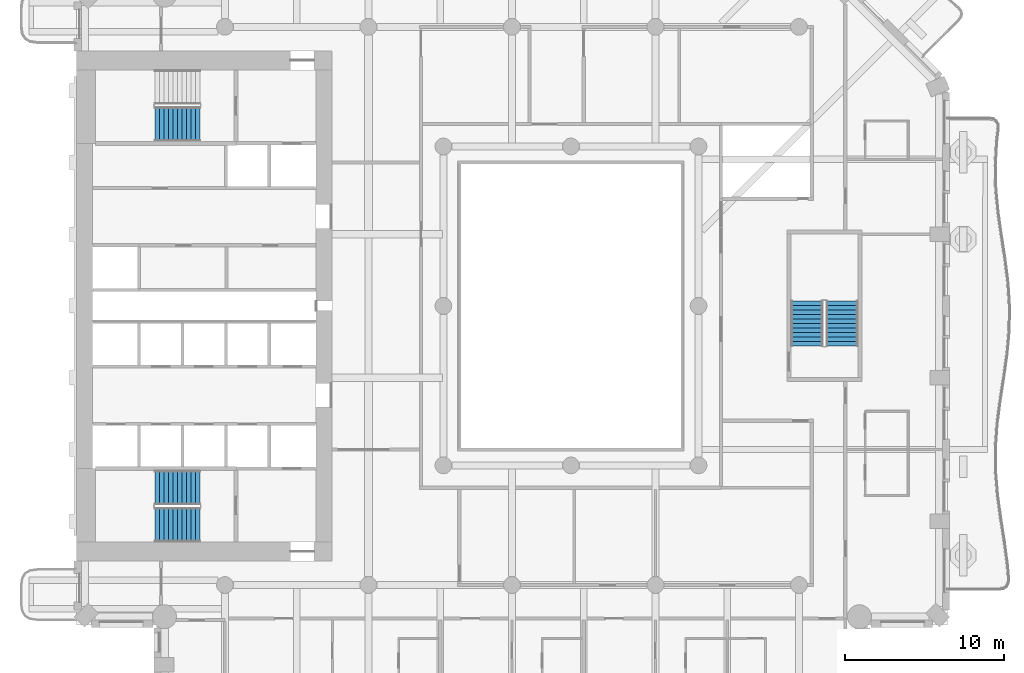
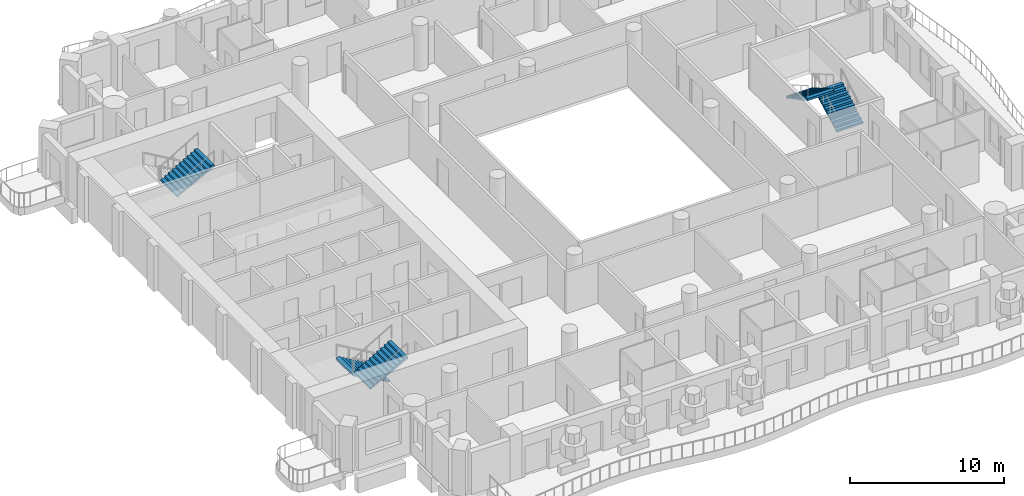
# One storey, part 10 of 19: 5 stair flights, 3 elements without a shape of their own.
"""IFC4 building model written with IfcOpenShell, lengths in metres."""

from ifc_helpers import new_model, si_unit, direction, frame, origin, place, context, subcontext, project, spatial, triangles, material, type_object, element, aggregate, save


model = new_model("IFC4")

# Units and contexts
model_context = context("Model", 3, precision=1e-05, world=origin(), true_north=direction((0.0, 1.0)))
body_context = subcontext(model_context, "Body", "Model", "MODEL_VIEW")
ifc_project = project(units=[si_unit("LENGTHUNIT", "METRE"), si_unit("AREAUNIT", "SQUARE_METRE"), si_unit("VOLUMEUNIT", "CUBIC_METRE"), si_unit("PLANEANGLEUNIT", "RADIAN"), si_unit("MASSUNIT", "GRAM", prefix="KILO")], contexts=[model_context])

# Site, building, storey
site_placement = place(None, origin())
site = spatial("IfcSite", under=ifc_project, at=site_placement, CompositionType="ELEMENT")
building_placement = place(site_placement, origin())
building = spatial("IfcBuilding", under=site, at=building_placement, Name="Cypress Arch Tower", CompositionType="ELEMENT")
storey_placement = place(building_placement, frame((0.0, 0.0, 141.89990234375)))
storey = spatial("IfcBuildingStorey", under=building, at=storey_placement, Name="L31", CompositionType="ELEMENT", Elevation=141.89990234375)

# Stair, stair flights
ifc_material_1 = material(Name="Concrete C40/50", Category="concrete")
stair_type_1 = type_object("IfcStairType", Name="Exit stair ES1636-200", PredefinedType="HALF_TURN_STAIR", material=ifc_material_1)
stair_1_placement = place(storey_placement, origin())
stair_1 = element("IfcStair", 1, at=stair_1_placement, inside=storey, type_object=stair_type_1, Name="L31 Exit stair C", PredefinedType="HALF_TURN_STAIR")
ifc_material_2 = material(Name="Concrete C40/50", Category="concrete")
stair_flight_type_1 = type_object("IfcStairFlightType", Name="Exit stair flight ES1636-200", PredefinedType="STRAIGHT", material=ifc_material_2)
stair_flight_1_placement = place(storey_placement, frame((18.0, -2.5, 0.0), z_axis=(0.0, 0.0, 1.0), x_axis=(0.0, 1.0, 0.0)))
stair_flight_1 = element("IfcStairFlight", 2, at=stair_flight_1_placement, type_object=stair_flight_type_1, Name="C flight 1", NumberOfRisers=11, NumberOfTreads=10, PredefinedType="STRAIGHT", RiserHeight=0.163636364, TreadLength=0.28, context=body_context, shape_type="Tessellation", body=[
    triangles([(0.0, -1.0, 0.0), (0.00048828125, -1.0, 0.054443359375), (0.00048828125, -1.0, 0.109130859375), (0.0, -1.0, 0.16357421875), (0.280029296875, -1.0, 0.16357421875), (0.280029296875, -1.0, 0.327392578125), (0.56005859375, -1.0, 0.327392578125), (0.56005859375, -1.0, 0.490966796875), (0.840087890625, -1.0, 0.490966796875), (0.840087890625, -1.0, 0.654541015625), (1.1201171875, -1.0, 0.654541015625), (1.1201171875, -1.0, 0.818115234375), (1.39990234375, -1.0, 0.818115234375), (1.39990234375, -1.0, 0.98193359375), (1.679931640625, -1.0, 0.98193359375), (1.679931640625, -1.0, 1.1455078125), (1.9599609375, -1.0, 1.1455078125), (1.9599609375, -1.0, 1.30908203125), (2.239990234375, -1.0, 1.30908203125), (2.239990234375, -1.0, 1.47265625), (2.52001953125, -1.0, 1.47265625), (2.52001953125, -1.0, 1.636474609375), (2.800048828125, -1.0, 1.636474609375), (2.799560546875, -1.0, 1.57861328125), (2.799560546875, -1.0, 1.5205078125), (2.800048828125, -1.0, 1.462646484375), (2.800048828125, 1.0, 1.462646484375), (2.799560546875, 1.0, 1.5205078125), (2.799560546875, 1.0, 1.57861328125), (2.800048828125, 1.0, 1.636474609375), (2.52001953125, 1.0, 1.636474609375), (2.52001953125, 1.0, 1.47265625), (2.239990234375, 1.0, 1.47265625), (2.239990234375, 1.0, 1.30908203125), (1.9599609375, 1.0, 1.30908203125), (1.9599609375, 1.0, 1.1455078125), (1.679931640625, 1.0, 1.1455078125), (1.679931640625, 1.0, 0.98193359375), (1.39990234375, 1.0, 0.98193359375), (1.39990234375, 1.0, 0.818115234375), (1.1201171875, 1.0, 0.818115234375), (1.1201171875, 1.0, 0.654541015625), (0.840087890625, 1.0, 0.654541015625), (0.840087890625, 1.0, 0.490966796875), (0.56005859375, 1.0, 0.490966796875), (0.56005859375, 1.0, 0.327392578125), (0.280029296875, 1.0, 0.327392578125), (0.280029296875, 1.0, 0.16357421875), (0.0, 1.0, 0.16357421875), (0.00048828125, 1.0, 0.109130859375), (0.00048828125, 1.0, 0.054443359375), (0.0, 1.0, 0.0), (2.799560546875, 0.0, 1.5205078125), (2.800048828125, 0.0, 1.462646484375), (2.799560546875, 0.0, 1.57861328125), (2.800048828125, 0.0, 1.636474609375), (2.52001953125, 0.0, 1.636474609375), (2.52001953125, 0.0, 1.47265625), (2.239990234375, 0.0, 1.47265625), (2.239990234375, 0.0, 1.30908203125), (1.9599609375, 0.0, 1.30908203125), (1.9599609375, 0.0, 1.1455078125), (1.679931640625, 0.0, 1.1455078125), (1.679931640625, 0.0, 0.98193359375), (1.39990234375, 0.0, 0.98193359375), (1.39990234375, 0.0, 0.818115234375), (1.1201171875, 0.0, 0.818115234375), (1.1201171875, 0.0, 0.654541015625), (0.840087890625, 0.0, 0.654541015625), (0.840087890625, 0.0, 0.490966796875), (0.56005859375, 0.0, 0.490966796875), (0.56005859375, 0.0, 0.327392578125), (0.280029296875, 0.0, 0.327392578125), (0.280029296875, 0.0, 0.16357421875), (0.0, 0.0, 0.16357421875), (0.00048828125, 0.0, 0.109130859375), (0.00048828125, 0.0, 0.054443359375), (0.0, 0.0, 0.0)], [[26, 25, 22], [25, 24, 22], [24, 23, 22], [15, 14, 13], [7, 6, 5], [13, 12, 11], [21, 20, 19], [19, 18, 17], [17, 16, 15], [11, 10, 9], [9, 8, 7], [4, 3, 5], [3, 2, 5], [2, 1, 5], [26, 22, 21], [26, 21, 19], [26, 19, 17], [26, 17, 15], [26, 15, 13], [26, 13, 11], [26, 11, 9], [26, 9, 7], [26, 7, 5], [26, 5, 1], [27, 31, 28], [28, 31, 29], [29, 31, 30], [38, 40, 39], [46, 48, 47], [40, 42, 41], [32, 34, 33], [34, 36, 35], [36, 38, 37], [42, 44, 43], [44, 46, 45], [49, 48, 50], [50, 48, 51], [51, 48, 52], [27, 32, 31], [27, 34, 32], [27, 36, 34], [27, 38, 36], [27, 40, 38], [27, 42, 40], [27, 44, 42], [27, 46, 44], [27, 48, 46], [27, 52, 48], [54, 53, 25], [54, 25, 26], [27, 28, 53], [27, 53, 54], [53, 55, 24], [53, 24, 25], [28, 29, 55], [28, 55, 53], [55, 56, 23], [55, 23, 24], [29, 30, 56], [29, 56, 55], [56, 57, 22], [56, 22, 23], [30, 31, 57], [30, 57, 56], [57, 58, 21], [57, 21, 22], [31, 32, 58], [31, 58, 57], [58, 59, 20], [58, 20, 21], [32, 33, 59], [32, 59, 58], [59, 60, 19], [59, 19, 20], [33, 34, 60], [33, 60, 59], [60, 61, 18], [60, 18, 19], [34, 35, 61], [34, 61, 60], [61, 62, 17], [61, 17, 18], [35, 36, 62], [35, 62, 61], [62, 63, 16], [62, 16, 17], [36, 37, 63], [36, 63, 62], [63, 64, 15], [63, 15, 16], [37, 38, 64], [37, 64, 63], [64, 65, 14], [64, 14, 15], [38, 39, 65], [38, 65, 64], [65, 66, 13], [65, 13, 14], [39, 40, 66], [39, 66, 65], [66, 67, 12], [66, 12, 13], [40, 41, 67], [40, 67, 66], [67, 68, 11], [67, 11, 12], [41, 42, 68], [41, 68, 67], [68, 69, 10], [68, 10, 11], [42, 43, 69], [42, 69, 68], [69, 70, 9], [69, 9, 10], [43, 44, 70], [43, 70, 69], [70, 71, 8], [70, 8, 9], [44, 45, 71], [44, 71, 70], [71, 72, 7], [71, 7, 8], [45, 46, 72], [45, 72, 71], [72, 73, 6], [72, 6, 7], [46, 47, 73], [46, 73, 72], [73, 74, 5], [73, 5, 6], [47, 48, 74], [47, 74, 73], [74, 75, 4], [74, 4, 5], [48, 49, 75], [48, 75, 74], [75, 76, 3], [75, 3, 4], [49, 50, 76], [49, 76, 75], [76, 77, 2], [76, 2, 3], [50, 51, 77], [50, 77, 76], [77, 78, 1], [77, 1, 2], [51, 52, 78], [51, 78, 77], [78, 54, 26], [78, 26, 1], [52, 27, 54], [52, 54, 78]], closed=True),
])
stair_flight_2_placement = place(storey_placement, frame((15.800048828125, 0.300048828125, 1.800048828125), z_axis=(0.0, 0.0, 1.0), x_axis=(0.0, -1.0, 0.0)))
stair_flight_2 = element("IfcStairFlight", 3, at=stair_flight_2_placement, type_object=stair_flight_type_1, Name="C flight 2", NumberOfRisers=11, NumberOfTreads=10, PredefinedType="STRAIGHT", RiserHeight=0.163636364, TreadLength=0.28, context=body_context, shape_type="Tessellation", body=[
    triangles([(0.0, -1.0, 0.0), (0.00048828125, -1.0, 0.054443359375), (0.00048828125, -1.0, 0.109130859375), (0.0, -1.0, 0.16357421875), (0.280029296875, -1.0, 0.16357421875), (0.280029296875, -1.0, 0.327392578125), (0.56005859375, -1.0, 0.327392578125), (0.56005859375, -1.0, 0.490966796875), (0.840087890625, -1.0, 0.490966796875), (0.840087890625, -1.0, 0.654541015625), (1.1201171875, -1.0, 0.654541015625), (1.1201171875, -1.0, 0.818115234375), (1.39990234375, -1.0, 0.818115234375), (1.39990234375, -1.0, 0.98193359375), (1.679931640625, -1.0, 0.98193359375), (1.679931640625, -1.0, 1.1455078125), (1.9599609375, -1.0, 1.1455078125), (1.9599609375, -1.0, 1.30908203125), (2.239990234375, -1.0, 1.30908203125), (2.239990234375, -1.0, 1.47265625), (2.52001953125, -1.0, 1.47265625), (2.52001953125, -1.0, 1.636474609375), (2.800048828125, -1.0, 1.636474609375), (2.799560546875, -1.0, 1.57861328125), (2.799560546875, -1.0, 1.5205078125), (2.800048828125, -1.0, 1.462646484375), (2.800048828125, 1.0, 1.462646484375), (2.799560546875, 1.0, 1.5205078125), (2.799560546875, 1.0, 1.57861328125), (2.800048828125, 1.0, 1.636474609375), (2.52001953125, 1.0, 1.636474609375), (2.52001953125, 1.0, 1.47265625), (2.239990234375, 1.0, 1.47265625), (2.239990234375, 1.0, 1.30908203125), (1.9599609375, 1.0, 1.30908203125), (1.9599609375, 1.0, 1.1455078125), (1.679931640625, 1.0, 1.1455078125), (1.679931640625, 1.0, 0.98193359375), (1.39990234375, 1.0, 0.98193359375), (1.39990234375, 1.0, 0.818115234375), (1.1201171875, 1.0, 0.818115234375), (1.1201171875, 1.0, 0.654541015625), (0.840087890625, 1.0, 0.654541015625), (0.840087890625, 1.0, 0.490966796875), (0.56005859375, 1.0, 0.490966796875), (0.56005859375, 1.0, 0.327392578125), (0.280029296875, 1.0, 0.327392578125), (0.280029296875, 1.0, 0.16357421875), (0.0, 1.0, 0.16357421875), (0.00048828125, 1.0, 0.109130859375), (0.00048828125, 1.0, 0.054443359375), (0.0, 1.0, 0.0), (2.799560546875, 0.0, 1.5205078125), (2.800048828125, 0.0, 1.462646484375), (2.799560546875, 0.0, 1.57861328125), (2.800048828125, 0.0, 1.636474609375), (2.52001953125, 0.0, 1.636474609375), (2.52001953125, 0.0, 1.47265625), (2.239990234375, 0.0, 1.47265625), (2.239990234375, 0.0, 1.30908203125), (1.9599609375, 0.0, 1.30908203125), (1.9599609375, 0.0, 1.1455078125), (1.679931640625, 0.0, 1.1455078125), (1.679931640625, 0.0, 0.98193359375), (1.39990234375, 0.0, 0.98193359375), (1.39990234375, 0.0, 0.818115234375), (1.1201171875, 0.0, 0.818115234375), (1.1201171875, 0.0, 0.654541015625), (0.840087890625, 0.0, 0.654541015625), (0.840087890625, 0.0, 0.490966796875), (0.56005859375, 0.0, 0.490966796875), (0.56005859375, 0.0, 0.327392578125), (0.280029296875, 0.0, 0.327392578125), (0.280029296875, 0.0, 0.16357421875), (0.0, 0.0, 0.16357421875), (0.00048828125, 0.0, 0.109130859375), (0.00048828125, 0.0, 0.054443359375), (0.0, 0.0, 0.0)], [[26, 25, 22], [25, 24, 22], [24, 23, 22], [15, 14, 13], [7, 6, 5], [13, 12, 11], [21, 20, 19], [19, 18, 17], [17, 16, 15], [11, 10, 9], [9, 8, 7], [4, 3, 5], [3, 2, 5], [2, 1, 5], [26, 22, 21], [26, 21, 19], [26, 19, 17], [26, 17, 15], [26, 15, 13], [26, 13, 11], [26, 11, 9], [26, 9, 7], [26, 7, 5], [26, 5, 1], [27, 31, 28], [28, 31, 29], [29, 31, 30], [38, 40, 39], [46, 48, 47], [40, 42, 41], [32, 34, 33], [34, 36, 35], [36, 38, 37], [42, 44, 43], [44, 46, 45], [49, 48, 50], [50, 48, 51], [51, 48, 52], [27, 32, 31], [27, 34, 32], [27, 36, 34], [27, 38, 36], [27, 40, 38], [27, 42, 40], [27, 44, 42], [27, 46, 44], [27, 48, 46], [27, 52, 48], [54, 53, 25], [54, 25, 26], [27, 28, 53], [27, 53, 54], [53, 55, 24], [53, 24, 25], [28, 29, 55], [28, 55, 53], [55, 56, 23], [55, 23, 24], [29, 30, 56], [29, 56, 55], [56, 57, 22], [56, 22, 23], [30, 31, 57], [30, 57, 56], [57, 58, 21], [57, 21, 22], [31, 32, 58], [31, 58, 57], [58, 59, 20], [58, 20, 21], [32, 33, 59], [32, 59, 58], [59, 60, 19], [59, 19, 20], [33, 34, 60], [33, 60, 59], [60, 61, 18], [60, 18, 19], [34, 35, 61], [34, 61, 60], [61, 62, 17], [61, 17, 18], [35, 36, 62], [35, 62, 61], [62, 63, 16], [62, 16, 17], [36, 37, 63], [36, 63, 62], [63, 64, 15], [63, 15, 16], [37, 38, 64], [37, 64, 63], [64, 65, 14], [64, 14, 15], [38, 39, 65], [38, 65, 64], [65, 66, 13], [65, 13, 14], [39, 40, 66], [39, 66, 65], [66, 67, 12], [66, 12, 13], [40, 41, 67], [40, 67, 66], [67, 68, 11], [67, 11, 12], [41, 42, 68], [41, 68, 67], [68, 69, 10], [68, 10, 11], [42, 43, 69], [42, 69, 68], [69, 70, 9], [69, 9, 10], [43, 44, 70], [43, 70, 69], [70, 71, 8], [70, 8, 9], [44, 45, 71], [44, 71, 70], [71, 72, 7], [71, 7, 8], [45, 46, 72], [45, 72, 71], [72, 73, 6], [72, 6, 7], [46, 47, 73], [46, 73, 72], [73, 74, 5], [73, 5, 6], [47, 48, 74], [47, 74, 73], [74, 75, 4], [74, 4, 5], [48, 49, 75], [48, 75, 74], [75, 76, 3], [75, 3, 4], [49, 50, 76], [49, 76, 75], [76, 77, 2], [76, 2, 3], [50, 51, 77], [50, 77, 76], [77, 78, 1], [77, 1, 2], [51, 52, 78], [51, 78, 77], [78, 54, 26], [78, 26, 1], [52, 27, 54], [52, 54, 78]], closed=True),
])
aggregate(stair_1, [stair_flight_1, stair_flight_2])

ifc_material_3 = material(Name="Concrete C40/50", Category="concrete")
stair_type_2 = type_object("IfcStairType", Name="Exit stair ES1636-215", PredefinedType="HALF_TURN_STAIR", material=ifc_material_3)
stair_2_placement = place(storey_placement, origin())
stair_2 = element("IfcStair", 4, at=stair_2_placement, inside=storey, type_object=stair_type_2, Name="L31 Exit stair A", PredefinedType="HALF_TURN_STAIR")
ifc_material_4 = material(Name="Concrete C40/50", Category="concrete")
stair_flight_type_2 = type_object("IfcStairFlightType", Name="Exit stair flight ES1636-215", PredefinedType="STRAIGHT", material=ifc_material_4)
stair_flight_3_placement = place(storey_placement, frame((-22.27490234375, -11.39990234375, 0.0), z_axis=(0.0, 0.0, 1.0), x_axis=(-1.0, 0.0, 0.0)))
stair_flight_3 = element("IfcStairFlight", 5, at=stair_flight_3_placement, type_object=stair_flight_type_2, Name="A flight 1", NumberOfRisers=11, NumberOfTreads=10, PredefinedType="STRAIGHT", RiserHeight=0.163636364, TreadLength=0.28, context=body_context, shape_type="Tessellation", body=[
    triangles([(0.0, -1.074951171875, 0.0), (0.000244140625, -1.074951171875, 0.03271484375), (0.00048828125, -1.074951171875, 0.0654296875), (0.00048828125, -1.074951171875, 0.09814453125), (0.000244140625, -1.074951171875, 0.130859375), (0.0, -1.074951171875, 0.16357421875), (0.280029296875, -1.074951171875, 0.16357421875), (0.280029296875, -1.074951171875, 0.327392578125), (0.56005859375, -1.074951171875, 0.327392578125), (0.56005859375, -1.074951171875, 0.490966796875), (0.840087890625, -1.074951171875, 0.490966796875), (0.840087890625, -1.074951171875, 0.654541015625), (1.1201171875, -1.074951171875, 0.654541015625), (1.1201171875, -1.074951171875, 0.818115234375), (1.39990234375, -1.074951171875, 0.818115234375), (1.39990234375, -1.074951171875, 0.98193359375), (1.679931640625, -1.074951171875, 0.98193359375), (1.679931640625, -1.074951171875, 1.1455078125), (1.9599609375, -1.074951171875, 1.1455078125), (1.9599609375, -1.074951171875, 1.30908203125), (2.239990234375, -1.074951171875, 1.30908203125), (2.239990234375, -1.074951171875, 1.47265625), (2.52001953125, -1.074951171875, 1.47265625), (2.52001953125, -1.074951171875, 1.636474609375), (2.800048828125, -1.074951171875, 1.636474609375), (2.7998046875, -1.074951171875, 1.601806640625), (2.799560546875, -1.074951171875, 1.56689453125), (2.799560546875, -1.074951171875, 1.5322265625), (2.7998046875, -1.074951171875, 1.497314453125), (2.800048828125, -1.074951171875, 1.462646484375), (2.800048828125, 1.074951171875, 1.462646484375), (2.7998046875, 1.074951171875, 1.497314453125), (2.799560546875, 1.074951171875, 1.5322265625), (2.799560546875, 1.074951171875, 1.56689453125), (2.7998046875, 1.074951171875, 1.601806640625), (2.800048828125, 1.074951171875, 1.636474609375), (2.52001953125, 1.074951171875, 1.636474609375), (2.52001953125, 1.074951171875, 1.47265625), (2.239990234375, 1.074951171875, 1.47265625), (2.239990234375, 1.074951171875, 1.30908203125), (1.9599609375, 1.074951171875, 1.30908203125), (1.9599609375, 1.074951171875, 1.1455078125), (1.679931640625, 1.074951171875, 1.1455078125), (1.679931640625, 1.074951171875, 0.98193359375), (1.39990234375, 1.074951171875, 0.98193359375), (1.39990234375, 1.074951171875, 0.818115234375), (1.1201171875, 1.074951171875, 0.818115234375), (1.1201171875, 1.074951171875, 0.654541015625), (0.840087890625, 1.074951171875, 0.654541015625), (0.840087890625, 1.074951171875, 0.490966796875), (0.56005859375, 1.074951171875, 0.490966796875), (0.56005859375, 1.074951171875, 0.327392578125), (0.280029296875, 1.074951171875, 0.327392578125), (0.280029296875, 1.074951171875, 0.16357421875), (0.0, 1.074951171875, 0.16357421875), (0.000244140625, 1.074951171875, 0.130859375), (0.00048828125, 1.074951171875, 0.09814453125), (0.00048828125, 1.074951171875, 0.0654296875), (0.000244140625, 1.074951171875, 0.03271484375), (0.0, 1.074951171875, 0.0), (2.7998046875, 0.0, 1.497314453125), (2.800048828125, 0.0, 1.462646484375), (2.799560546875, 0.0, 1.5322265625), (2.799560546875, 0.0, 1.56689453125), (2.7998046875, 0.0, 1.601806640625), (2.800048828125, 0.0, 1.636474609375), (2.52001953125, 0.0, 1.636474609375), (2.52001953125, 0.0, 1.47265625), (2.239990234375, 0.0, 1.47265625), (2.239990234375, 0.0, 1.30908203125), (1.9599609375, 0.0, 1.30908203125), (1.9599609375, 0.0, 1.1455078125), (1.679931640625, 0.0, 1.1455078125), (1.679931640625, 0.0, 0.98193359375), (1.39990234375, 0.0, 0.98193359375), (1.39990234375, 0.0, 0.818115234375), (1.1201171875, 0.0, 0.818115234375), (1.1201171875, 0.0, 0.654541015625), (0.840087890625, 0.0, 0.654541015625), (0.840087890625, 0.0, 0.490966796875), (0.56005859375, 0.0, 0.490966796875), (0.56005859375, 0.0, 0.327392578125), (0.280029296875, 0.0, 0.327392578125), (0.280029296875, 0.0, 0.16357421875), (0.0, 0.0, 0.16357421875), (0.000244140625, 0.0, 0.130859375), (0.00048828125, 0.0, 0.09814453125), (0.00048828125, 0.0, 0.0654296875), (0.000244140625, 0.0, 0.03271484375), (0.0, 0.0, 0.0)], [[30, 29, 24], [29, 28, 24], [28, 27, 24], [27, 26, 24], [26, 25, 24], [17, 16, 15], [9, 8, 7], [15, 14, 13], [23, 22, 21], [21, 20, 19], [19, 18, 17], [13, 12, 11], [11, 10, 9], [6, 5, 7], [5, 4, 7], [4, 3, 7], [3, 2, 7], [2, 1, 7], [30, 24, 23], [30, 23, 21], [30, 21, 19], [30, 19, 17], [30, 17, 15], [30, 15, 13], [30, 13, 11], [30, 11, 9], [30, 9, 7], [30, 7, 1], [31, 37, 32], [32, 37, 33], [33, 37, 34], [34, 37, 35], [35, 37, 36], [44, 46, 45], [52, 54, 53], [46, 48, 47], [38, 40, 39], [40, 42, 41], [42, 44, 43], [48, 50, 49], [50, 52, 51], [55, 54, 56], [56, 54, 57], [57, 54, 58], [58, 54, 59], [59, 54, 60], [31, 38, 37], [31, 40, 38], [31, 42, 40], [31, 44, 42], [31, 46, 44], [31, 48, 46], [31, 50, 48], [31, 52, 50], [31, 54, 52], [31, 60, 54], [62, 61, 29], [62, 29, 30], [31, 32, 61], [31, 61, 62], [61, 63, 28], [61, 28, 29], [32, 33, 63], [32, 63, 61], [63, 64, 27], [63, 27, 28], [33, 34, 64], [33, 64, 63], [64, 65, 26], [64, 26, 27], [34, 35, 65], [34, 65, 64], [65, 66, 25], [65, 25, 26], [35, 36, 66], [35, 66, 65], [66, 67, 24], [66, 24, 25], [36, 37, 67], [36, 67, 66], [67, 68, 23], [67, 23, 24], [37, 38, 68], [37, 68, 67], [68, 69, 22], [68, 22, 23], [38, 39, 69], [38, 69, 68], [69, 70, 21], [69, 21, 22], [39, 40, 70], [39, 70, 69], [70, 71, 20], [70, 20, 21], [40, 41, 71], [40, 71, 70], [71, 72, 19], [71, 19, 20], [41, 42, 72], [41, 72, 71], [72, 73, 18], [72, 18, 19], [42, 43, 73], [42, 73, 72], [73, 74, 17], [73, 17, 18], [43, 44, 74], [43, 74, 73], [74, 75, 16], [74, 16, 17], [44, 45, 75], [44, 75, 74], [75, 76, 15], [75, 15, 16], [45, 46, 76], [45, 76, 75], [76, 77, 14], [76, 14, 15], [46, 47, 77], [46, 77, 76], [77, 78, 13], [77, 13, 14], [47, 48, 78], [47, 78, 77], [78, 79, 12], [78, 12, 13], [48, 49, 79], [48, 79, 78], [79, 80, 11], [79, 11, 12], [49, 50, 80], [49, 80, 79], [80, 81, 10], [80, 10, 11], [50, 51, 81], [50, 81, 80], [81, 82, 9], [81, 9, 10], [51, 52, 82], [51, 82, 81], [82, 83, 8], [82, 8, 9], [52, 53, 83], [52, 83, 82], [83, 84, 7], [83, 7, 8], [53, 54, 84], [53, 84, 83], [84, 85, 6], [84, 6, 7], [54, 55, 85], [54, 85, 84], [85, 86, 5], [85, 5, 6], [55, 56, 86], [55, 86, 85], [86, 87, 4], [86, 4, 5], [56, 57, 87], [56, 87, 86], [87, 88, 3], [87, 3, 4], [57, 58, 88], [57, 88, 87], [88, 89, 2], [88, 2, 3], [58, 59, 89], [58, 89, 88], [89, 90, 1], [89, 1, 2], [59, 60, 90], [59, 90, 89], [90, 62, 30], [90, 30, 1], [60, 31, 62], [60, 62, 90]], closed=True),
])
stair_flight_4_placement = place(storey_placement, frame((-25.074951171875, -13.72509765625, 1.800048828125), z_axis=(0.0, 0.0, 1.0), x_axis=(1.0, 0.0, 0.0)))
stair_flight_4 = element("IfcStairFlight", 6, at=stair_flight_4_placement, type_object=stair_flight_type_2, Name="A flight 2", NumberOfRisers=11, NumberOfTreads=10, PredefinedType="STRAIGHT", RiserHeight=0.163636364, TreadLength=0.28, context=body_context, shape_type="Tessellation", body=[
    triangles([(0.0, -1.074951171875, 0.0), (0.000244140625, -1.074951171875, 0.03271484375), (0.00048828125, -1.074951171875, 0.0654296875), (0.00048828125, -1.074951171875, 0.09814453125), (0.000244140625, -1.074951171875, 0.130859375), (0.0, -1.074951171875, 0.16357421875), (0.280029296875, -1.074951171875, 0.16357421875), (0.280029296875, -1.074951171875, 0.327392578125), (0.56005859375, -1.074951171875, 0.327392578125), (0.56005859375, -1.074951171875, 0.490966796875), (0.840087890625, -1.074951171875, 0.490966796875), (0.840087890625, -1.074951171875, 0.654541015625), (1.1201171875, -1.074951171875, 0.654541015625), (1.1201171875, -1.074951171875, 0.818115234375), (1.39990234375, -1.074951171875, 0.818115234375), (1.39990234375, -1.074951171875, 0.98193359375), (1.679931640625, -1.074951171875, 0.98193359375), (1.679931640625, -1.074951171875, 1.1455078125), (1.9599609375, -1.074951171875, 1.1455078125), (1.9599609375, -1.074951171875, 1.30908203125), (2.239990234375, -1.074951171875, 1.30908203125), (2.239990234375, -1.074951171875, 1.47265625), (2.52001953125, -1.074951171875, 1.47265625), (2.52001953125, -1.074951171875, 1.636474609375), (2.800048828125, -1.074951171875, 1.636474609375), (2.7998046875, -1.074951171875, 1.601806640625), (2.799560546875, -1.074951171875, 1.56689453125), (2.799560546875, -1.074951171875, 1.5322265625), (2.7998046875, -1.074951171875, 1.497314453125), (2.800048828125, -1.074951171875, 1.462646484375), (2.800048828125, 1.074951171875, 1.462646484375), (2.7998046875, 1.074951171875, 1.497314453125), (2.799560546875, 1.074951171875, 1.5322265625), (2.799560546875, 1.074951171875, 1.56689453125), (2.7998046875, 1.074951171875, 1.601806640625), (2.800048828125, 1.074951171875, 1.636474609375), (2.52001953125, 1.074951171875, 1.636474609375), (2.52001953125, 1.074951171875, 1.47265625), (2.239990234375, 1.074951171875, 1.47265625), (2.239990234375, 1.074951171875, 1.30908203125), (1.9599609375, 1.074951171875, 1.30908203125), (1.9599609375, 1.074951171875, 1.1455078125), (1.679931640625, 1.074951171875, 1.1455078125), (1.679931640625, 1.074951171875, 0.98193359375), (1.39990234375, 1.074951171875, 0.98193359375), (1.39990234375, 1.074951171875, 0.818115234375), (1.1201171875, 1.074951171875, 0.818115234375), (1.1201171875, 1.074951171875, 0.654541015625), (0.840087890625, 1.074951171875, 0.654541015625), (0.840087890625, 1.074951171875, 0.490966796875), (0.56005859375, 1.074951171875, 0.490966796875), (0.56005859375, 1.074951171875, 0.327392578125), (0.280029296875, 1.074951171875, 0.327392578125), (0.280029296875, 1.074951171875, 0.16357421875), (0.0, 1.074951171875, 0.16357421875), (0.000244140625, 1.074951171875, 0.130859375), (0.00048828125, 1.074951171875, 0.09814453125), (0.00048828125, 1.074951171875, 0.0654296875), (0.000244140625, 1.074951171875, 0.03271484375), (0.0, 1.074951171875, 0.0), (2.7998046875, 0.0, 1.497314453125), (2.800048828125, 0.0, 1.462646484375), (2.799560546875, 0.0, 1.5322265625), (2.799560546875, 0.0, 1.56689453125), (2.7998046875, 0.0, 1.601806640625), (2.800048828125, 0.0, 1.636474609375), (2.52001953125, 0.0, 1.636474609375), (2.52001953125, 0.0, 1.47265625), (2.239990234375, 0.0, 1.47265625), (2.239990234375, 0.0, 1.30908203125), (1.9599609375, 0.0, 1.30908203125), (1.9599609375, 0.0, 1.1455078125), (1.679931640625, 0.0, 1.1455078125), (1.679931640625, 0.0, 0.98193359375), (1.39990234375, 0.0, 0.98193359375), (1.39990234375, 0.0, 0.818115234375), (1.1201171875, 0.0, 0.818115234375), (1.1201171875, 0.0, 0.654541015625), (0.840087890625, 0.0, 0.654541015625), (0.840087890625, 0.0, 0.490966796875), (0.56005859375, 0.0, 0.490966796875), (0.56005859375, 0.0, 0.327392578125), (0.280029296875, 0.0, 0.327392578125), (0.280029296875, 0.0, 0.16357421875), (0.0, 0.0, 0.16357421875), (0.000244140625, 0.0, 0.130859375), (0.00048828125, 0.0, 0.09814453125), (0.00048828125, 0.0, 0.0654296875), (0.000244140625, 0.0, 0.03271484375), (0.0, 0.0, 0.0)], [[30, 29, 24], [29, 28, 24], [28, 27, 24], [27, 26, 24], [26, 25, 24], [17, 16, 15], [9, 8, 7], [15, 14, 13], [23, 22, 21], [21, 20, 19], [19, 18, 17], [13, 12, 11], [11, 10, 9], [6, 5, 7], [5, 4, 7], [4, 3, 7], [3, 2, 7], [2, 1, 7], [30, 24, 23], [30, 23, 21], [30, 21, 19], [30, 19, 17], [30, 17, 15], [30, 15, 13], [30, 13, 11], [30, 11, 9], [30, 9, 7], [30, 7, 1], [31, 37, 32], [32, 37, 33], [33, 37, 34], [34, 37, 35], [35, 37, 36], [44, 46, 45], [52, 54, 53], [46, 48, 47], [38, 40, 39], [40, 42, 41], [42, 44, 43], [48, 50, 49], [50, 52, 51], [55, 54, 56], [56, 54, 57], [57, 54, 58], [58, 54, 59], [59, 54, 60], [31, 38, 37], [31, 40, 38], [31, 42, 40], [31, 44, 42], [31, 46, 44], [31, 48, 46], [31, 50, 48], [31, 52, 50], [31, 54, 52], [31, 60, 54], [62, 61, 29], [62, 29, 30], [31, 32, 61], [31, 61, 62], [61, 63, 28], [61, 28, 29], [32, 33, 63], [32, 63, 61], [63, 64, 27], [63, 27, 28], [33, 34, 64], [33, 64, 63], [64, 65, 26], [64, 26, 27], [34, 35, 65], [34, 65, 64], [65, 66, 25], [65, 25, 26], [35, 36, 66], [35, 66, 65], [66, 67, 24], [66, 24, 25], [36, 37, 67], [36, 67, 66], [67, 68, 23], [67, 23, 24], [37, 38, 68], [37, 68, 67], [68, 69, 22], [68, 22, 23], [38, 39, 69], [38, 69, 68], [69, 70, 21], [69, 21, 22], [39, 40, 70], [39, 70, 69], [70, 71, 20], [70, 20, 21], [40, 41, 71], [40, 71, 70], [71, 72, 19], [71, 19, 20], [41, 42, 72], [41, 72, 71], [72, 73, 18], [72, 18, 19], [42, 43, 73], [42, 73, 72], [73, 74, 17], [73, 17, 18], [43, 44, 74], [43, 74, 73], [74, 75, 16], [74, 16, 17], [44, 45, 75], [44, 75, 74], [75, 76, 15], [75, 15, 16], [45, 46, 76], [45, 76, 75], [76, 77, 14], [76, 14, 15], [46, 47, 77], [46, 77, 76], [77, 78, 13], [77, 13, 14], [47, 48, 78], [47, 78, 77], [78, 79, 12], [78, 12, 13], [48, 49, 79], [48, 79, 78], [79, 80, 11], [79, 11, 12], [49, 50, 80], [49, 80, 79], [80, 81, 10], [80, 10, 11], [50, 51, 81], [50, 81, 80], [81, 82, 9], [81, 9, 10], [51, 52, 82], [51, 82, 81], [82, 83, 8], [82, 8, 9], [52, 53, 83], [52, 83, 82], [83, 84, 7], [83, 7, 8], [53, 54, 84], [53, 84, 83], [84, 85, 6], [84, 6, 7], [54, 55, 85], [54, 85, 84], [85, 86, 5], [85, 5, 6], [55, 56, 86], [55, 86, 85], [86, 87, 4], [86, 4, 5], [56, 57, 87], [56, 87, 86], [87, 88, 3], [87, 3, 4], [57, 58, 88], [57, 88, 87], [88, 89, 2], [88, 2, 3], [58, 59, 89], [58, 89, 88], [89, 90, 1], [89, 1, 2], [59, 60, 90], [59, 90, 89], [90, 62, 30], [90, 30, 1], [60, 31, 62], [60, 62, 90]], closed=True),
])
aggregate(stair_2, [stair_flight_3, stair_flight_4])

# Stair, stair flight
stair_3_placement = place(storey_placement, origin())
stair_3 = element("IfcStair", 7, at=stair_3_placement, inside=storey, type_object=stair_type_2, Name="L31 Exit stair B", PredefinedType="HALF_TURN_STAIR")
stair_flight_5_placement = place(storey_placement, frame((-25.074951171875, 11.39990234375, 1.800048828125), z_axis=(0.0, 0.0, 1.0), x_axis=(1.0, 0.0, 0.0)))
stair_flight_5 = element("IfcStairFlight", 8, at=stair_flight_5_placement, type_object=stair_flight_type_2, Name="B flight 2", NumberOfRisers=11, NumberOfTreads=10, PredefinedType="STRAIGHT", RiserHeight=0.163636364, TreadLength=0.28, context=body_context, shape_type="Tessellation", body=[
    triangles([(0.0, -1.074951171875, 0.0), (0.000244140625, -1.074951171875, 0.03271484375), (0.00048828125, -1.074951171875, 0.0654296875), (0.00048828125, -1.074951171875, 0.09814453125), (0.000244140625, -1.074951171875, 0.130859375), (0.0, -1.074951171875, 0.16357421875), (0.280029296875, -1.074951171875, 0.16357421875), (0.280029296875, -1.074951171875, 0.327392578125), (0.56005859375, -1.074951171875, 0.327392578125), (0.56005859375, -1.074951171875, 0.490966796875), (0.840087890625, -1.074951171875, 0.490966796875), (0.840087890625, -1.074951171875, 0.654541015625), (1.1201171875, -1.074951171875, 0.654541015625), (1.1201171875, -1.074951171875, 0.818115234375), (1.39990234375, -1.074951171875, 0.818115234375), (1.39990234375, -1.074951171875, 0.98193359375), (1.679931640625, -1.074951171875, 0.98193359375), (1.679931640625, -1.074951171875, 1.1455078125), (1.9599609375, -1.074951171875, 1.1455078125), (1.9599609375, -1.074951171875, 1.30908203125), (2.239990234375, -1.074951171875, 1.30908203125), (2.239990234375, -1.074951171875, 1.47265625), (2.52001953125, -1.074951171875, 1.47265625), (2.52001953125, -1.074951171875, 1.636474609375), (2.800048828125, -1.074951171875, 1.636474609375), (2.7998046875, -1.074951171875, 1.601806640625), (2.799560546875, -1.074951171875, 1.56689453125), (2.799560546875, -1.074951171875, 1.5322265625), (2.7998046875, -1.074951171875, 1.497314453125), (2.800048828125, -1.074951171875, 1.462646484375), (2.800048828125, 1.074951171875, 1.462646484375), (2.7998046875, 1.074951171875, 1.497314453125), (2.799560546875, 1.074951171875, 1.5322265625), (2.799560546875, 1.074951171875, 1.56689453125), (2.7998046875, 1.074951171875, 1.601806640625), (2.800048828125, 1.074951171875, 1.636474609375), (2.52001953125, 1.074951171875, 1.636474609375), (2.52001953125, 1.074951171875, 1.47265625), (2.239990234375, 1.074951171875, 1.47265625), (2.239990234375, 1.074951171875, 1.30908203125), (1.9599609375, 1.074951171875, 1.30908203125), (1.9599609375, 1.074951171875, 1.1455078125), (1.679931640625, 1.074951171875, 1.1455078125), (1.679931640625, 1.074951171875, 0.98193359375), (1.39990234375, 1.074951171875, 0.98193359375), (1.39990234375, 1.074951171875, 0.818115234375), (1.1201171875, 1.074951171875, 0.818115234375), (1.1201171875, 1.074951171875, 0.654541015625), (0.840087890625, 1.074951171875, 0.654541015625), (0.840087890625, 1.074951171875, 0.490966796875), (0.56005859375, 1.074951171875, 0.490966796875), (0.56005859375, 1.074951171875, 0.327392578125), (0.280029296875, 1.074951171875, 0.327392578125), (0.280029296875, 1.074951171875, 0.16357421875), (0.0, 1.074951171875, 0.16357421875), (0.000244140625, 1.074951171875, 0.130859375), (0.00048828125, 1.074951171875, 0.09814453125), (0.00048828125, 1.074951171875, 0.0654296875), (0.000244140625, 1.074951171875, 0.03271484375), (0.0, 1.074951171875, 0.0), (2.7998046875, 0.0, 1.497314453125), (2.800048828125, 0.0, 1.462646484375), (2.799560546875, 0.0, 1.5322265625), (2.799560546875, 0.0, 1.56689453125), (2.7998046875, 0.0, 1.601806640625), (2.800048828125, 0.0, 1.636474609375), (2.52001953125, 0.0, 1.636474609375), (2.52001953125, 0.0, 1.47265625), (2.239990234375, 0.0, 1.47265625), (2.239990234375, 0.0, 1.30908203125), (1.9599609375, 0.0, 1.30908203125), (1.9599609375, 0.0, 1.1455078125), (1.679931640625, 0.0, 1.1455078125), (1.679931640625, 0.0, 0.98193359375), (1.39990234375, 0.0, 0.98193359375), (1.39990234375, 0.0, 0.818115234375), (1.1201171875, 0.0, 0.818115234375), (1.1201171875, 0.0, 0.654541015625), (0.840087890625, 0.0, 0.654541015625), (0.840087890625, 0.0, 0.490966796875), (0.56005859375, 0.0, 0.490966796875), (0.56005859375, 0.0, 0.327392578125), (0.280029296875, 0.0, 0.327392578125), (0.280029296875, 0.0, 0.16357421875), (0.0, 0.0, 0.16357421875), (0.000244140625, 0.0, 0.130859375), (0.00048828125, 0.0, 0.09814453125), (0.00048828125, 0.0, 0.0654296875), (0.000244140625, 0.0, 0.03271484375), (0.0, 0.0, 0.0)], [[30, 29, 24], [29, 28, 24], [28, 27, 24], [27, 26, 24], [26, 25, 24], [17, 16, 15], [9, 8, 7], [15, 14, 13], [23, 22, 21], [21, 20, 19], [19, 18, 17], [13, 12, 11], [11, 10, 9], [6, 5, 7], [5, 4, 7], [4, 3, 7], [3, 2, 7], [2, 1, 7], [30, 24, 23], [30, 23, 21], [30, 21, 19], [30, 19, 17], [30, 17, 15], [30, 15, 13], [30, 13, 11], [30, 11, 9], [30, 9, 7], [30, 7, 1], [31, 37, 32], [32, 37, 33], [33, 37, 34], [34, 37, 35], [35, 37, 36], [44, 46, 45], [52, 54, 53], [46, 48, 47], [38, 40, 39], [40, 42, 41], [42, 44, 43], [48, 50, 49], [50, 52, 51], [55, 54, 56], [56, 54, 57], [57, 54, 58], [58, 54, 59], [59, 54, 60], [31, 38, 37], [31, 40, 38], [31, 42, 40], [31, 44, 42], [31, 46, 44], [31, 48, 46], [31, 50, 48], [31, 52, 50], [31, 54, 52], [31, 60, 54], [62, 61, 29], [62, 29, 30], [31, 32, 61], [31, 61, 62], [61, 63, 28], [61, 28, 29], [32, 33, 63], [32, 63, 61], [63, 64, 27], [63, 27, 28], [33, 34, 64], [33, 64, 63], [64, 65, 26], [64, 26, 27], [34, 35, 65], [34, 65, 64], [65, 66, 25], [65, 25, 26], [35, 36, 66], [35, 66, 65], [66, 67, 24], [66, 24, 25], [36, 37, 67], [36, 67, 66], [67, 68, 23], [67, 23, 24], [37, 38, 68], [37, 68, 67], [68, 69, 22], [68, 22, 23], [38, 39, 69], [38, 69, 68], [69, 70, 21], [69, 21, 22], [39, 40, 70], [39, 70, 69], [70, 71, 20], [70, 20, 21], [40, 41, 71], [40, 71, 70], [71, 72, 19], [71, 19, 20], [41, 42, 72], [41, 72, 71], [72, 73, 18], [72, 18, 19], [42, 43, 73], [42, 73, 72], [73, 74, 17], [73, 17, 18], [43, 44, 74], [43, 74, 73], [74, 75, 16], [74, 16, 17], [44, 45, 75], [44, 75, 74], [75, 76, 15], [75, 15, 16], [45, 46, 76], [45, 76, 75], [76, 77, 14], [76, 14, 15], [46, 47, 77], [46, 77, 76], [77, 78, 13], [77, 13, 14], [47, 48, 78], [47, 78, 77], [78, 79, 12], [78, 12, 13], [48, 49, 79], [48, 79, 78], [79, 80, 11], [79, 11, 12], [49, 50, 80], [49, 80, 79], [80, 81, 10], [80, 10, 11], [50, 51, 81], [50, 81, 80], [81, 82, 9], [81, 9, 10], [51, 52, 82], [51, 82, 81], [82, 83, 8], [82, 8, 9], [52, 53, 83], [52, 83, 82], [83, 84, 7], [83, 7, 8], [53, 54, 84], [53, 84, 83], [84, 85, 6], [84, 6, 7], [54, 55, 85], [54, 85, 84], [85, 86, 5], [85, 5, 6], [55, 56, 86], [55, 86, 85], [86, 87, 4], [86, 4, 5], [56, 57, 87], [56, 87, 86], [87, 88, 3], [87, 3, 4], [57, 58, 88], [57, 88, 87], [88, 89, 2], [88, 2, 3], [58, 59, 89], [58, 89, 88], [89, 90, 1], [89, 1, 2], [59, 60, 90], [59, 90, 89], [90, 62, 30], [90, 30, 1], [60, 31, 62], [60, 62, 90]], closed=True),
])
aggregate(stair_3, [stair_flight_5])

save(model, "model.ifc")
